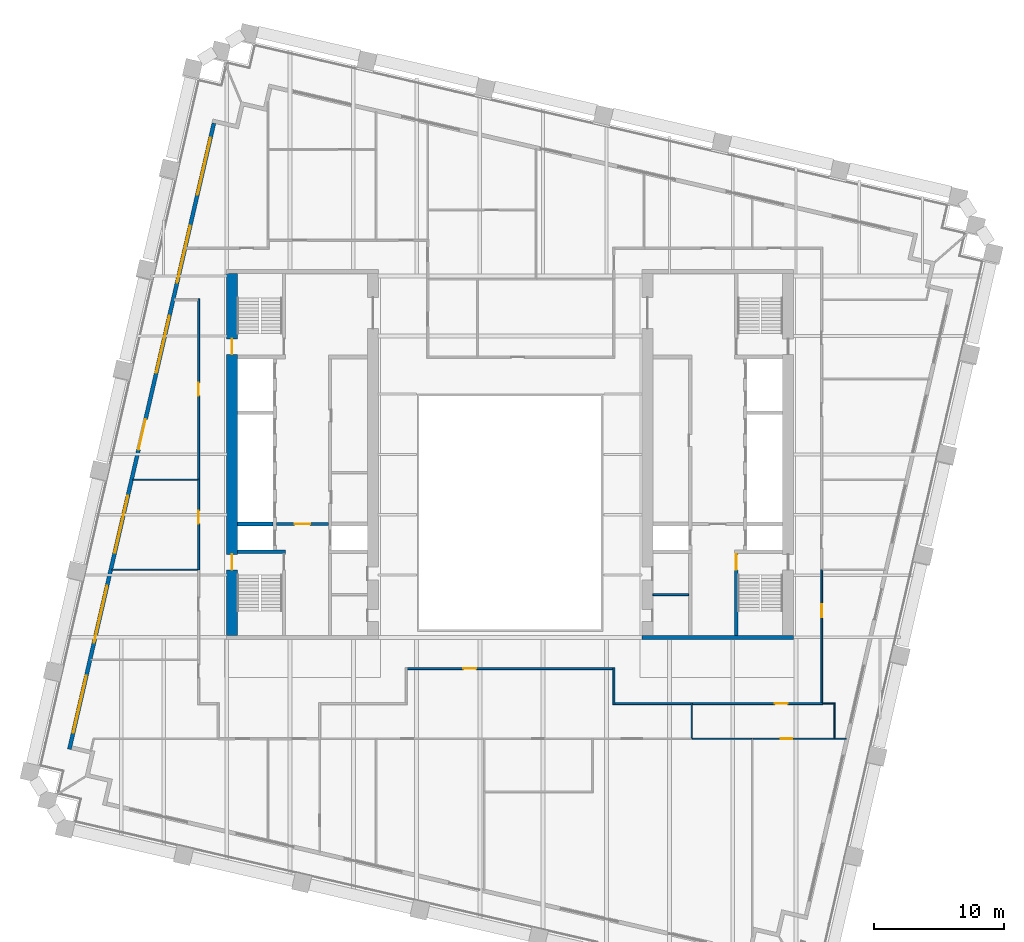
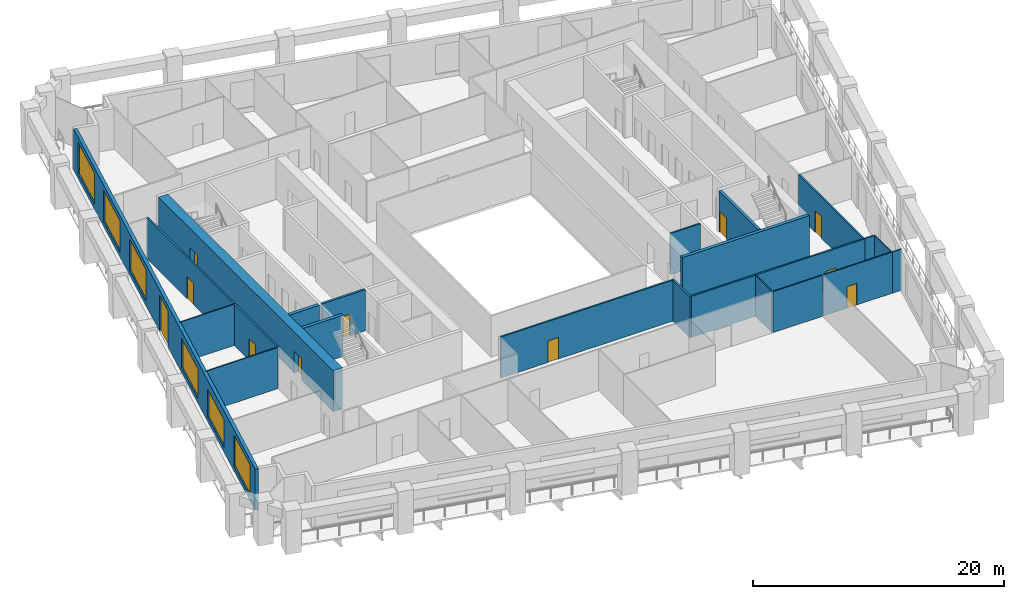
# One storey, part 5 of 11: 23 walls, 11 doors, 6 windows, 17 openings.
"""IFC4 building model written with IfcOpenShell, lengths in metres."""

from ifc_helpers import new_model, si_unit, direction, frame, frame_2d, origin, place, context, subcontext, project, spatial, rectangle, extrude, material, layer, layer_set, type_object, element, fill, save


model = new_model("IFC4")

# Units and contexts
model_context = context("Model", 3, precision=1e-05, world=origin(), true_north=direction((0.0, 1.0)))
body_context = subcontext(model_context, "Body", "Model", "MODEL_VIEW")
ifc_project = project(units=[si_unit("LENGTHUNIT", "METRE"), si_unit("AREAUNIT", "SQUARE_METRE"), si_unit("VOLUMEUNIT", "CUBIC_METRE"), si_unit("PLANEANGLEUNIT", "RADIAN"), si_unit("MASSUNIT", "GRAM", prefix="KILO")], contexts=[model_context])

# Site, building, storey
site_placement = place(None, origin())
site = spatial("IfcSite", under=ifc_project, at=site_placement, CompositionType="ELEMENT")
building_placement = place(site_placement, origin())
building = spatial("IfcBuilding", under=site, at=building_placement, Name="Ogive Exchange Tower", CompositionType="ELEMENT")
storey_placement = place(building_placement, frame((0.0, 0.0, 109.800048828125)))
storey = spatial("IfcBuildingStorey", under=building, at=storey_placement, Name="L23", CompositionType="ELEMENT", Elevation=109.800048828125)

# Wall
ifc_material_1 = material(Name="Gypsum board partition")
ifc_layer_1 = layer(ifc_material_1, 0.14990234375)
ifc_layer_set_1 = layer_set([ifc_layer_1], Name="Core room partition 150 gypsum")
wall_type_1 = type_object("IfcWallType", Name="Core room partition 150 gypsum", PredefinedType="PARTITIONING", material=ifc_layer_set_1)
wall_1_placement = place(storey_placement, frame((11.0, 0.699951171875, 0.0), z_axis=(0.0, 0.0, 1.0), x_axis=(1.0, 0.0, 0.0)))
element("IfcWall", 1, at=wall_1_placement, inside=storey, type_object=wall_type_1, Name="E south room partition", PredefinedType="PARTITIONING", context=body_context, shape_type="SweptSolid", body=[
    extrude(rectangle(XDim=2.75, YDim=0.14990234375, at=frame_2d((1.375, 0.0))), origin(), (0.0, 0.0, 1.0), 4.0),
])

# Wall, opening, door
ifc_material_2 = material(Name="Fire partition EI 60 150")
ifc_layer_2 = layer(ifc_material_2, 0.14990234375)
ifc_layer_set_2 = layer_set([ifc_layer_2], Name="Fire partition EI 60 150")
wall_type_2 = type_object("IfcWallType", Name="Fire partition EI 60 150", PredefinedType="PARTITIONING", material=ifc_layer_set_2)
wall_2_placement = place(storey_placement, frame((-24.0, 2.610107421875, 0.0), z_axis=(0.0, 0.0, 1.0), x_axis=(0.0, 1.0, 0.0)))
wall_2 = element("IfcWall", 2, at=wall_2_placement, inside=storey, type_object=wall_type_2, Name="L23-PWL-007", PredefinedType="PARTITIONING", context=body_context, shape_type="SweptSolid", body=[
    extrude(rectangle(XDim=6.989990234375, YDim=0.14990234375, at=frame_2d((3.4951171875, 0.0))), origin(), (0.0, 0.0, 1.0), 4.0),
])
opening_1_placement = place(wall_2_placement, frame((3.5400390625, 0.0, 0.0)))
opening_1 = element("IfcOpeningElement", 3, at=opening_1_placement, cuts=wall_2, Name="Opening L23-I19", PredefinedType="OPENING", context=body_context, shape_type="SweptSolid", body=[
    extrude(rectangle(XDim=1.0, YDim=2.10009765625, at=frame_2d((0.5, 1.050048828125))), frame((0.0, 0.0849609375, 0.0), z_axis=(0.0, -1.0, 0.0), x_axis=(1.0, 0.0, 0.0)), (0.0, 0.0, 1.0), 0.169921875),
])
ifc_material_3 = material(Name="Fire door FD 30S 1000 x 2100")
door_type_1 = type_object("IfcDoorType", Name="Fire door FD 30S 1000 x 2100", OperationType="NOTDEFINED", PredefinedType="DOOR", material=ifc_material_3)
door_1_placement = place(opening_1_placement, origin())
door_1 = element("IfcDoor", 4, at=door_1_placement, inside=storey, type_object=door_type_1, Name="L23-IDR-019", ObjectType="DT3", OperationType="SINGLE_SWING_LEFT", OverallHeight=2.10009765625, OverallWidth=1.0, PredefinedType="DOOR", context=body_context, shape_type="SweptSolid", body=[
    extrude(rectangle(XDim=1.0, YDim=2.10009765625, at=frame_2d((0.5, 1.050048828125))), frame((0.0, 0.02490234375, 0.0), z_axis=(0.0, -1.0, 0.0), x_axis=(1.0, 0.0, 0.0)), (0.0, 0.0, 1.0), 0.050048828125),
])
fill(opening_1, door_1)

wall_3_placement = place(storey_placement, frame((-24.0, 9.550048828125, 0.0), z_axis=(0.0, 0.0, 1.0), x_axis=(0.0, 1.0, 0.0)))
wall_3 = element("IfcWall", 5, at=wall_3_placement, inside=storey, type_object=wall_type_2, Name="L23-PWL-009", PredefinedType="PARTITIONING", context=body_context, shape_type="SweptSolid", body=[
    extrude(rectangle(XDim=13.93505859375, YDim=0.14990234375, at=frame_2d((6.967529296875, 0.0))), origin(), (0.0, 0.0, 1.0), 4.0),
])
opening_2_placement = place(wall_3_placement, frame((6.4599609375, 0.0, 0.0)))
opening_2 = element("IfcOpeningElement", 6, at=opening_2_placement, cuts=wall_3, Name="Opening L23-I10", PredefinedType="OPENING", context=body_context, shape_type="SweptSolid", body=[
    extrude(rectangle(XDim=1.0, YDim=2.10009765625, at=frame_2d((0.5, 1.050048828125))), frame((0.0, 0.0849609375, 0.0), z_axis=(0.0, -1.0, 0.0), x_axis=(1.0, 0.0, 0.0)), (0.0, 0.0, 1.0), 0.169921875),
])
door_2_placement = place(opening_2_placement, origin())
door_2 = element("IfcDoor", 7, at=door_2_placement, inside=storey, type_object=door_type_1, Name="L23-IDR-010", ObjectType="DT3", OperationType="SINGLE_SWING_LEFT", OverallHeight=2.10009765625, OverallWidth=1.0, PredefinedType="DOOR", context=body_context, shape_type="SweptSolid", body=[
    extrude(rectangle(XDim=1.0, YDim=2.10009765625, at=frame_2d((0.5, 1.050048828125))), frame((0.0, 0.02490234375, 0.0), z_axis=(0.0, -1.0, 0.0), x_axis=(1.0, 0.0, 0.0)), (0.0, 0.0, 1.0), 0.050048828125),
])
fill(opening_2, door_2)

# Wall
wall_4_placement = place(storey_placement, frame((8.0, -7.77490234375, 0.0), z_axis=(0.0, 0.0, 1.0), x_axis=(0.0, 1.0, 0.0)))
element("IfcWall", 8, at=wall_4_placement, inside=storey, type_object=wall_type_2, Name="L23-PWL-051", PredefinedType="PARTITIONING", context=body_context, shape_type="SweptSolid", body=[
    extrude(rectangle(XDim=2.849853515625, YDim=0.14990234375, at=frame_2d((1.4248046875, 0.0))), origin(), (0.0, 0.0, 1.0), 4.0),
])

# Wall, opening, door
wall_5_placement = place(storey_placement, frame((7.925048828125, -5.0, 0.0), z_axis=(0.0, 0.0, 1.0), x_axis=(-1.0, 0.0, 0.0)))
wall_5 = element("IfcWall", 9, at=wall_5_placement, inside=storey, type_object=wall_type_2, Name="L23-PWL-052", PredefinedType="PARTITIONING", context=body_context, shape_type="SweptSolid", body=[
    extrude(rectangle(XDim=15.85009765625, YDim=0.14990234375, at=frame_2d((7.925048828125, 0.0))), origin(), (0.0, 0.0, 1.0), 4.0),
])
opening_3_placement = place(wall_5_placement, frame((10.52490234375, 0.0, 0.0)))
opening_3 = element("IfcOpeningElement", 10, at=opening_3_placement, cuts=wall_5, Name="Opening L23-I18", PredefinedType="OPENING", context=body_context, shape_type="SweptSolid", body=[
    extrude(rectangle(XDim=1.0, YDim=2.10009765625, at=frame_2d((0.5, 1.050048828125))), frame((0.0, 0.0849609375, 0.0), z_axis=(0.0, -1.0, 0.0), x_axis=(1.0, 0.0, 0.0)), (0.0, 0.0, 1.0), 0.169921875),
])
door_3_placement = place(opening_3_placement, origin())
door_3 = element("IfcDoor", 11, at=door_3_placement, inside=storey, type_object=door_type_1, Name="L23-IDR-018", ObjectType="DT3", OperationType="SINGLE_SWING_LEFT", OverallHeight=2.10009765625, OverallWidth=1.0, PredefinedType="DOOR", context=body_context, shape_type="SweptSolid", body=[
    extrude(rectangle(XDim=1.0, YDim=2.10009765625, at=frame_2d((0.5, 1.050048828125))), frame((0.0, 0.02490234375, 0.0), z_axis=(0.0, -1.0, 0.0), x_axis=(1.0, 0.0, 0.0)), (0.0, 0.0, 1.0), 0.050048828125),
])
fill(opening_3, door_3)

# Wall
wall_6_placement = place(storey_placement, frame((13.949951171875, -7.699951171875, 0.0), z_axis=(0.0, 0.0, 1.0), x_axis=(-1.0, 0.0, 0.0)))
element("IfcWall", 12, at=wall_6_placement, inside=storey, type_object=wall_type_2, Name="L23-PWL-060", PredefinedType="PARTITIONING", context=body_context, shape_type="SweptSolid", body=[
    extrude(rectangle(XDim=5.875, YDim=0.14990234375, at=frame_2d((2.9375, 0.0))), origin(), (0.0, 0.0, 1.0), 4.0),
])

# Wall, opening, door
wall_7_placement = place(storey_placement, frame((24.074951171875, -7.699951171875, 0.0), z_axis=(0.0, 0.0, 1.0), x_axis=(-1.0, 0.0, 0.0)))
wall_7 = element("IfcWall", 13, at=wall_7_placement, inside=storey, type_object=wall_type_2, Name="L23-PWL-065", PredefinedType="PARTITIONING", context=body_context, shape_type="SweptSolid", body=[
    extrude(rectangle(XDim=10.02490234375, YDim=0.14990234375, at=frame_2d((5.012451171875, 0.0))), origin(), (0.0, 0.0, 1.0), 4.0),
])
opening_4_placement = place(wall_7_placement, frame((2.675048828125, 0.0, 0.0)))
opening_4 = element("IfcOpeningElement", 14, at=opening_4_placement, cuts=wall_7, Name="Opening L23-I17", PredefinedType="OPENING", context=body_context, shape_type="SweptSolid", body=[
    extrude(rectangle(XDim=1.0, YDim=2.10009765625, at=frame_2d((0.5, 1.050048828125))), frame((0.0, 0.0849609375, 0.0), z_axis=(0.0, -1.0, 0.0), x_axis=(1.0, 0.0, 0.0)), (0.0, 0.0, 1.0), 0.169921875),
])
door_4_placement = place(opening_4_placement, origin())
door_4 = element("IfcDoor", 15, at=door_4_placement, inside=storey, type_object=door_type_1, Name="L23-IDR-017", ObjectType="DT3", OperationType="SINGLE_SWING_RIGHT", OverallHeight=2.10009765625, OverallWidth=1.0, PredefinedType="DOOR", context=body_context, shape_type="SweptSolid", body=[
    extrude(rectangle(XDim=1.0, YDim=2.10009765625, at=frame_2d((0.5, 1.050048828125))), frame((0.0, 0.02490234375, 0.0), z_axis=(0.0, -1.0, 0.0), x_axis=(1.0, 0.0, 0.0)), (0.0, 0.0, 1.0), 0.050048828125),
])
fill(opening_4, door_4)

wall_8_placement = place(storey_placement, frame((24.010009765625, 2.659912109375, 0.0), z_axis=(0.0, 0.0, 1.0), x_axis=(0.0, -1.0, 0.0)))
wall_8 = element("IfcWall", 16, at=wall_8_placement, inside=storey, type_object=wall_type_2, Name="L23-PWL-072", PredefinedType="PARTITIONING", context=body_context, shape_type="SweptSolid", body=[
    extrude(rectangle(XDim=10.27490234375, YDim=0.14990234375, at=frame_2d((5.137451171875, 0.0))), origin(), (0.0, 0.0, 1.0), 4.0),
])
opening_5_placement = place(wall_8_placement, frame((2.699951171875, 0.0, 0.0)))
opening_5 = element("IfcOpeningElement", 17, at=opening_5_placement, cuts=wall_8, Name="Opening L23-I16", PredefinedType="OPENING", context=body_context, shape_type="SweptSolid", body=[
    extrude(rectangle(XDim=1.0, YDim=2.10009765625, at=frame_2d((0.5, 1.050048828125))), frame((0.0, 0.0849609375, 0.0), z_axis=(0.0, -1.0, 0.0), x_axis=(1.0, 0.0, 0.0)), (0.0, 0.0, 1.0), 0.169921875),
])
door_5_placement = place(opening_5_placement, origin())
door_5 = element("IfcDoor", 18, at=door_5_placement, inside=storey, type_object=door_type_1, Name="L23-IDR-016", ObjectType="DT3", OperationType="SINGLE_SWING_RIGHT", OverallHeight=2.10009765625, OverallWidth=1.0, PredefinedType="DOOR", context=body_context, shape_type="SweptSolid", body=[
    extrude(rectangle(XDim=1.0, YDim=2.10009765625, at=frame_2d((0.5, 1.050048828125))), frame((0.0, 0.02490234375, 0.0), z_axis=(0.0, -1.0, 0.0), x_axis=(1.0, 0.0, 0.0)), (0.0, 0.0, 1.0), 0.050048828125),
])
fill(opening_5, door_5)

# Wall, openings, door, windows
ifc_material_4 = material(Name="Precast concrete C40/50", Category="concrete")
ifc_layer_3 = layer(ifc_material_4, 0.300048828125)
ifc_layer_set_3 = layer_set([ifc_layer_3], Name="Limestone-faced wall 300")
wall_type_3 = type_object("IfcWallType", Name="Limestone-faced wall 300", PredefinedType="STANDARD", material=ifc_layer_set_3)
wall_9_placement = place(storey_placement, frame((-22.8203125, 37.015625, 0.0), z_axis=(0.0, 0.0, 1.0), x_axis=(-0.224953880882, -0.974369412223, 0.0)))
wall_9 = element("IfcWall", 19, at=wall_9_placement, inside=storey, type_object=wall_type_3, Name="External wall W4", PredefinedType="STANDARD", context=body_context, shape_type="SweptSolid", body=[
    extrude(rectangle(XDim=49.500244140625, YDim=0.300048828125, at=frame_2d((24.75, 0.0))), origin(), (0.0, 0.0, 1.0), 4.0),
])
opening_6_placement = place(wall_9_placement, frame((1.156982421875, 0.0, 0.449951171875)))
opening_6 = element("IfcOpeningElement", 20, at=opening_6_placement, cuts=wall_9, Name="Opening W1", PredefinedType="OPENING", context=body_context, shape_type="SweptSolid", body=[
    extrude(rectangle(XDim=4.5, YDim=3.050048828125, at=frame_2d((2.25, 1.52490234375))), frame((0.0, 0.159912109375, 0.0), z_axis=(0.0, -1.0, 0.0), x_axis=(1.0, 0.0, 0.0)), (0.0, 0.0, 1.0), 0.320068359375),
])
opening_7_placement = place(wall_9_placement, frame((8.121337890625, 0.0, 0.449951171875)))
opening_7 = element("IfcOpeningElement", 21, at=opening_7_placement, cuts=wall_9, Name="Opening W1", PredefinedType="OPENING", context=body_context, shape_type="SweptSolid", body=[
    extrude(rectangle(XDim=4.5, YDim=3.050048828125, at=frame_2d((2.25, 1.52490234375))), frame((0.0, 0.159912109375, 0.0), z_axis=(0.0, -1.0, 0.0), x_axis=(1.0, 0.0, 0.0)), (0.0, 0.0, 1.0), 0.320068359375),
])
opening_8_placement = place(wall_9_placement, frame((15.235595703125, 0.0, 0.449951171875)))
opening_8 = element("IfcOpeningElement", 22, at=opening_8_placement, cuts=wall_9, Name="Opening W1", PredefinedType="OPENING", context=body_context, shape_type="SweptSolid", body=[
    extrude(rectangle(XDim=4.5, YDim=3.050048828125, at=frame_2d((2.25, 1.52490234375))), frame((0.0, 0.159912109375, 0.0), z_axis=(0.0, -1.0, 0.0), x_axis=(1.0, 0.0, 0.0)), (0.0, 0.0, 1.0), 0.320068359375),
])
opening_9_placement = place(wall_9_placement, frame((23.39990234375, 0.0, 0.0)))
opening_9 = element("IfcOpeningElement", 23, at=opening_9_placement, cuts=wall_9, Name="Opening D1", PredefinedType="OPENING", context=body_context, shape_type="SweptSolid", body=[
    extrude(rectangle(XDim=2.39990234375, YDim=3.5, at=frame_2d((1.199951171875, 1.75))), frame((0.0, 0.159912109375, 0.0), z_axis=(0.0, -1.0, 0.0), x_axis=(1.0, 0.0, 0.0)), (0.0, 0.0, 1.0), 0.320068359375),
])
opening_10_placement = place(wall_9_placement, frame((29.464111328125, 0.0, 0.449951171875)))
opening_10 = element("IfcOpeningElement", 24, at=opening_10_placement, cuts=wall_9, Name="Opening W1D", PredefinedType="OPENING", context=body_context, shape_type="SweptSolid", body=[
    extrude(rectangle(XDim=4.5, YDim=2.875, at=frame_2d((2.25, 1.4375))), frame((0.0, 0.159912109375, 0.0), z_axis=(0.0, -1.0, 0.0), x_axis=(1.0, 0.0, 0.0)), (0.0, 0.0, 1.0), 0.320068359375),
])
opening_11_placement = place(wall_9_placement, frame((36.57861328125, 0.0, 0.449951171875)))
opening_11 = element("IfcOpeningElement", 25, at=opening_11_placement, cuts=wall_9, Name="Opening W1J", PredefinedType="OPENING", context=body_context, shape_type="SweptSolid", body=[
    extrude(rectangle(XDim=4.5, YDim=2.675048828125, at=frame_2d((2.25, 1.33740234375))), frame((0.0, 0.159912109375, 0.0), z_axis=(0.0, -1.0, 0.0), x_axis=(1.0, 0.0, 0.0)), (0.0, 0.0, 1.0), 0.320068359375),
])
opening_12_placement = place(wall_9_placement, frame((43.69287109375, 0.0, 0.449951171875)))
opening_12 = element("IfcOpeningElement", 26, at=opening_12_placement, cuts=wall_9, Name="Opening W1", PredefinedType="OPENING", context=body_context, shape_type="SweptSolid", body=[
    extrude(rectangle(XDim=4.5, YDim=3.050048828125, at=frame_2d((2.25, 1.52490234375))), frame((0.0, 0.159912109375, 0.0), z_axis=(0.0, -1.0, 0.0), x_axis=(1.0, 0.0, 0.0)), (0.0, 0.0, 1.0), 0.320068359375),
])
ifc_material_5 = material(Name="Clear glass in bronze frame", Category="glass")
door_type_2 = type_object("IfcDoorType", Name="Sliding loggia door 2400 x 3500", OperationType="DOUBLE_DOOR_SLIDING", PredefinedType="DOOR", material=ifc_material_5)
door_6_placement = place(opening_9_placement, origin())
door_6 = element("IfcDoor", 27, at=door_6_placement, inside=storey, type_object=door_type_2, Name="Loggia door W03", OperationType="DOUBLE_DOOR_SLIDING", OverallHeight=3.5, OverallWidth=2.39990234375, PredefinedType="DOOR", context=body_context, shape_type="SweptSolid", body=[
    extrude(rectangle(XDim=2.39990234375, YDim=3.5, at=frame_2d((1.199951171875, 1.75))), frame((0.0, 0.02490234375, 0.0), z_axis=(0.0, -1.0, 0.0), x_axis=(1.0, 0.0, 0.0)), (0.0, 0.0, 1.0), 0.050048828125),
])
fill(opening_9, door_6)
window_type_1 = type_object("IfcWindowType", Name="Twin lancet window 4500 x 2675", PartitioningType="DOUBLE_PANEL_VERTICAL", PredefinedType="WINDOW", material=ifc_material_5)
window_1_placement = place(opening_11_placement, origin())
window_1 = element("IfcWindow", 28, at=window_1_placement, inside=storey, type_object=window_type_1, Name="Window W05", OverallHeight=2.675048828125, OverallWidth=4.5, PartitioningType="DOUBLE_PANEL_VERTICAL", PredefinedType="WINDOW", context=body_context, shape_type="SweptSolid", body=[
    extrude(rectangle(XDim=4.5, YDim=2.675048828125, at=frame_2d((2.25, 1.33740234375))), frame((0.0, 0.030029296875, 0.0), z_axis=(0.0, -1.0, 0.0), x_axis=(1.0, 0.0, 0.0)), (0.0, 0.0, 1.0), 0.06005859375),
])
fill(opening_11, window_1)
window_type_2 = type_object("IfcWindowType", Name="Twin lancet window 4500 x 2875", PartitioningType="DOUBLE_PANEL_VERTICAL", PredefinedType="WINDOW", material=ifc_material_5)
window_2_placement = place(opening_10_placement, origin())
window_2 = element("IfcWindow", 29, at=window_2_placement, inside=storey, type_object=window_type_2, Name="Window W04", OverallHeight=2.875, OverallWidth=4.5, PartitioningType="DOUBLE_PANEL_VERTICAL", PredefinedType="WINDOW", context=body_context, shape_type="SweptSolid", body=[
    extrude(rectangle(XDim=4.5, YDim=2.875, at=frame_2d((2.25, 1.4375))), frame((0.0, 0.030029296875, 0.0), z_axis=(0.0, -1.0, 0.0), x_axis=(1.0, 0.0, 0.0)), (0.0, 0.0, 1.0), 0.06005859375),
])
fill(opening_10, window_2)
window_type_3 = type_object("IfcWindowType", Name="Twin lancet window 4500 x 3050", PartitioningType="DOUBLE_PANEL_VERTICAL", PredefinedType="WINDOW", material=ifc_material_5)
window_3_placement = place(opening_6_placement, origin())
window_3 = element("IfcWindow", 30, at=window_3_placement, inside=storey, type_object=window_type_3, Name="Window W00", OverallHeight=3.050048828125, OverallWidth=4.5, PartitioningType="DOUBLE_PANEL_VERTICAL", PredefinedType="WINDOW", context=body_context, shape_type="SweptSolid", body=[
    extrude(rectangle(XDim=4.5, YDim=3.050048828125, at=frame_2d((2.25, 1.52490234375))), frame((0.0, 0.030029296875, 0.0), z_axis=(0.0, -1.0, 0.0), x_axis=(1.0, 0.0, 0.0)), (0.0, 0.0, 1.0), 0.06005859375),
])
fill(opening_6, window_3)
window_4_placement = place(opening_7_placement, origin())
window_4 = element("IfcWindow", 31, at=window_4_placement, inside=storey, type_object=window_type_3, Name="Window W01", OverallHeight=3.050048828125, OverallWidth=4.5, PartitioningType="DOUBLE_PANEL_VERTICAL", PredefinedType="WINDOW", context=body_context, shape_type="SweptSolid", body=[
    extrude(rectangle(XDim=4.5, YDim=3.050048828125, at=frame_2d((2.25, 1.52490234375))), frame((0.0, 0.030029296875, 0.0), z_axis=(0.0, -1.0, 0.0), x_axis=(1.0, 0.0, 0.0)), (0.0, 0.0, 1.0), 0.06005859375),
])
fill(opening_7, window_4)
window_5_placement = place(opening_8_placement, origin())
window_5 = element("IfcWindow", 32, at=window_5_placement, inside=storey, type_object=window_type_3, Name="Window W02", OverallHeight=3.050048828125, OverallWidth=4.5, PartitioningType="DOUBLE_PANEL_VERTICAL", PredefinedType="WINDOW", context=body_context, shape_type="SweptSolid", body=[
    extrude(rectangle(XDim=4.5, YDim=3.050048828125, at=frame_2d((2.25, 1.52490234375))), frame((0.0, 0.030029296875, 0.0), z_axis=(0.0, -1.0, 0.0), x_axis=(1.0, 0.0, 0.0)), (0.0, 0.0, 1.0), 0.06005859375),
])
fill(opening_8, window_5)
window_6_placement = place(opening_12_placement, origin())
window_6 = element("IfcWindow", 33, at=window_6_placement, inside=storey, type_object=window_type_3, Name="Window W06", OverallHeight=3.050048828125, OverallWidth=4.5, PartitioningType="DOUBLE_PANEL_VERTICAL", PredefinedType="WINDOW", context=body_context, shape_type="SweptSolid", body=[
    extrude(rectangle(XDim=4.5, YDim=3.050048828125, at=frame_2d((2.25, 1.52490234375))), frame((0.0, 0.030029296875, 0.0), z_axis=(0.0, -1.0, 0.0), x_axis=(1.0, 0.0, 0.0)), (0.0, 0.0, 1.0), 0.06005859375),
])
fill(opening_12, window_6)

# Walls
ifc_material_6 = material(Name="Partition 100 gypsum")
ifc_layer_4 = layer(ifc_material_6, 0.10009765625)
ifc_layer_set_4 = layer_set([ifc_layer_4], Name="Partition 100 gypsum")
wall_type_4 = type_object("IfcWallType", Name="Partition 100 gypsum", PredefinedType="PARTITIONING", material=ifc_layer_set_4)
wall_10_placement = place(storey_placement, frame((-24.074951171875, 2.610107421875, 0.0), z_axis=(0.0, 0.0, 1.0), x_axis=(-1.0, 0.0, 0.0)))
element("IfcWall", 34, at=wall_10_placement, inside=storey, type_object=wall_type_4, Name="L23-PWL-006", PredefinedType="PARTITIONING", context=body_context, shape_type="SweptSolid", body=[
    extrude(rectangle(XDim=6.616943359375, YDim=0.10009765625, at=frame_2d((3.30859375, 0.0))), origin(), (0.0, 0.0, 1.0), 4.0),
])
wall_11_placement = place(storey_placement, frame((-24.074951171875, 9.550048828125, 0.0), z_axis=(0.0, 0.0, 1.0), x_axis=(-1.0, 0.0, 0.0)))
element("IfcWall", 35, at=wall_11_placement, inside=storey, type_object=wall_type_4, Name="L23-PWL-008", PredefinedType="PARTITIONING", context=body_context, shape_type="SweptSolid", body=[
    extrude(rectangle(XDim=5.01513671875, YDim=0.10009765625, at=frame_2d((2.507568359375, 0.0))), origin(), (0.0, 0.0, 1.0), 4.0),
])
wall_12_placement = place(storey_placement, frame((14.0, -10.360107421875, 0.0), z_axis=(0.0, 0.0, 1.0), x_axis=(0.0, 1.0, 0.0)))
element("IfcWall", 36, at=wall_12_placement, inside=storey, type_object=wall_type_4, Name="L23-PWL-059", PredefinedType="PARTITIONING", context=body_context, shape_type="SweptSolid", body=[
    extrude(rectangle(XDim=2.735107421875, YDim=0.10009765625, at=frame_2d((1.36767578125, 0.0))), origin(), (0.0, 0.0, 1.0), 4.0),
])
wall_13_placement = place(storey_placement, frame((18.60009765625, -10.409912109375, 0.0), z_axis=(0.0, 0.0, 1.0), x_axis=(-1.0, 0.0, 0.0)))
element("IfcWall", 37, at=wall_13_placement, inside=storey, type_object=wall_type_4, Name="L23-PWL-062", PredefinedType="PARTITIONING", context=body_context, shape_type="SweptSolid", body=[
    extrude(rectangle(XDim=4.550048828125, YDim=0.10009765625, at=frame_2d((2.27490234375, 0.0))), origin(), (0.0, 0.0, 1.0), 4.0),
])

# Wall, opening, door
wall_14_placement = place(storey_placement, frame((25.050048828125, -10.409912109375, 0.0), z_axis=(0.0, 0.0, 1.0), x_axis=(-1.0, 0.0, 0.0)))
wall_14 = element("IfcWall", 38, at=wall_14_placement, inside=storey, type_object=wall_type_4, Name="L23-PWL-073", PredefinedType="PARTITIONING", context=body_context, shape_type="SweptSolid", body=[
    extrude(rectangle(XDim=6.35009765625, YDim=0.10009765625, at=frame_2d((3.175048828125, 0.0))), origin(), (0.0, 0.0, 1.0), 4.0),
])
opening_13_placement = place(wall_14_placement, frame((3.300048828125, 0.0, 0.0)))
opening_13 = element("IfcOpeningElement", 39, at=opening_13_placement, cuts=wall_14, Name="Opening L23-I22", PredefinedType="OPENING", context=body_context, shape_type="SweptSolid", body=[
    extrude(rectangle(XDim=0.89990234375, YDim=2.10009765625, at=frame_2d((0.449951171875, 1.050048828125))), frame((0.0, 0.06005859375, 0.0), z_axis=(0.0, -1.0, 0.0), x_axis=(1.0, 0.0, 0.0)), (0.0, 0.0, 1.0), 0.1201171875),
])
ifc_material_7 = material(Name="Door 900 x 2100")
door_type_3 = type_object("IfcDoorType", Name="Door 900 x 2100", OperationType="NOTDEFINED", PredefinedType="DOOR", material=ifc_material_7)
door_7_placement = place(opening_13_placement, frame((0.89990234375, 0.0, 0.0), z_axis=(0.0, 0.0, 1.0), x_axis=(-1.0, 0.0, 0.0)))
door_7 = element("IfcDoor", 40, at=door_7_placement, inside=storey, type_object=door_type_3, Name="L23-IDR-022", ObjectType="DT1", OperationType="SINGLE_SWING_LEFT", OverallHeight=2.10009765625, OverallWidth=0.89990234375, PredefinedType="DOOR", context=body_context, shape_type="SweptSolid", body=[
    extrude(rectangle(XDim=0.89990234375, YDim=2.10009765625, at=frame_2d((0.449951171875, 1.050048828125))), frame((0.0, 0.02490234375, 0.0), z_axis=(0.0, -1.0, 0.0), x_axis=(1.0, 0.0, 0.0)), (0.0, 0.0, 1.0), 0.050048828125),
])
fill(opening_13, door_7)

# Walls
wall_15_placement = place(storey_placement, frame((25.0, -10.360107421875, 0.0), z_axis=(0.0, 0.0, 1.0), x_axis=(0.0, 1.0, 0.0)))
element("IfcWall", 41, at=wall_15_placement, inside=storey, type_object=wall_type_4, Name="L23-PWL-074", PredefinedType="PARTITIONING", context=body_context, shape_type="SweptSolid", body=[
    extrude(rectangle(XDim=2.72021484375, YDim=0.10009765625, at=frame_2d((1.360107421875, 0.0))), origin(), (0.0, 0.0, 1.0), 4.0),
])
wall_16_placement = place(storey_placement, frame((24.949951171875, -7.68994140625, 0.0), z_axis=(0.0, 0.0, 1.0), x_axis=(-1.0, 0.0, 0.0)))
element("IfcWall", 42, at=wall_16_placement, inside=storey, type_object=wall_type_4, Name="L23-PWL-075", PredefinedType="PARTITIONING", context=body_context, shape_type="SweptSolid", body=[
    extrude(rectangle(XDim=0.875, YDim=0.10009765625, at=frame_2d((0.4375, 0.0))), origin(), (0.0, 0.0, 1.0), 4.0),
])
wall_17_placement = place(storey_placement, frame((25.889892578125, -10.409912109375, 0.0), z_axis=(0.0, 0.0, 1.0), x_axis=(-1.0, 0.0, 0.0)))
element("IfcWall", 43, at=wall_17_placement, inside=storey, type_object=wall_type_4, Name="L23-PWL-076", PredefinedType="PARTITIONING", context=body_context, shape_type="SweptSolid", body=[
    extrude(rectangle(XDim=0.83984375, YDim=0.10009765625, at=frame_2d((0.419921875, 0.0))), origin(), (0.0, 0.0, 1.0), 4.0),
])

# Wall, opening, door
ifc_material_8 = material(Name="Concrete C70/85", Category="concrete")
ifc_layer_5 = layer(ifc_material_8, 0.199951171875)
ifc_layer_set_5 = layer_set([ifc_layer_5], Name="RC core wall 200 C70/85")
wall_type_5 = type_object("IfcWallType", Name="RC core wall 200 C70/85", PredefinedType="SHEAR", material=ifc_layer_set_5)
wall_18_placement = place(storey_placement, frame((-18.0, 6.142822265625, 0.0), z_axis=(0.0, 0.0, 1.0), x_axis=(1.0, 0.0, 0.0)))
wall_18 = element("IfcWall", 44, at=wall_18_placement, inside=storey, type_object=wall_type_5, Name="W firefighting lobby wall", PredefinedType="SHEAR", context=body_context, shape_type="SweptSolid", body=[
    extrude(rectangle(XDim=4.0, YDim=0.199951171875, at=frame_2d((2.0, 0.0))), origin(), (0.0, 0.0, 1.0), 4.0),
])
opening_14_placement = place(wall_18_placement, frame((1.39990234375, 0.0, 0.0)))
opening_14 = element("IfcOpeningElement", 45, at=opening_14_placement, cuts=wall_18, Name="Opening L23-C11", PredefinedType="OPENING", context=body_context, shape_type="SweptSolid", body=[
    extrude(rectangle(XDim=1.199951171875, YDim=2.10009765625, at=frame_2d((0.60009765625, 1.050048828125))), frame((0.0, 0.10986328125, 0.0), z_axis=(0.0, -1.0, 0.0), x_axis=(1.0, 0.0, 0.0)), (0.0, 0.0, 1.0), 0.219970703125),
])
ifc_material_9 = material(Name="Steel fire door", Category="steel")
door_type_4 = type_object("IfcDoorType", Name="Firefighting lobby door FD60 1200 x 2100", OperationType="NOTDEFINED", PredefinedType="DOOR", material=ifc_material_9)
door_8_placement = place(opening_14_placement, frame((1.199951171875, 0.0, 0.0), z_axis=(0.0, 0.0, 1.0), x_axis=(-1.0, 0.0, 0.0)))
door_8 = element("IfcDoor", 46, at=door_8_placement, inside=storey, type_object=door_type_4, Name="Firefighting lobby door", ObjectType="CD3", OperationType="SINGLE_SWING_RIGHT", OverallHeight=2.10009765625, OverallWidth=1.199951171875, PredefinedType="DOOR", context=body_context, shape_type="SweptSolid", body=[
    extrude(rectangle(XDim=1.199951171875, YDim=2.10009765625, at=frame_2d((0.60009765625, 1.050048828125))), frame((0.0, 0.02490234375, 0.0), z_axis=(0.0, -1.0, 0.0), x_axis=(1.0, 0.0, 0.0)), (0.0, 0.0, 1.0), 0.050048828125),
])
fill(opening_14, door_8)

ifc_layer_6 = layer(ifc_material_8, 0.25)
ifc_layer_set_6 = layer_set([ifc_layer_6], Name="RC core wall 250 C70/85")
wall_type_6 = type_object("IfcWallType", Name="RC core wall 250 C70/85", PredefinedType="SHEAR", material=ifc_layer_set_6)
wall_19_placement = place(storey_placement, frame((17.425048828125, -2.449951171875, 0.0), z_axis=(0.0, 0.0, 1.0), x_axis=(0.0, 1.0, 0.0)))
wall_19 = element("IfcWall", 47, at=wall_19_placement, inside=storey, type_object=wall_type_6, Name="E stair S front wall", PredefinedType="SHEAR", context=body_context, shape_type="SweptSolid", body=[
    extrude(rectangle(XDim=6.300048828125, YDim=0.25, at=frame_2d((3.14990234375, 0.0))), origin(), (0.0, 0.0, 1.0), 4.0),
])
opening_15_placement = place(wall_19_placement, frame((5.050048828125, 0.0, 0.0)))
opening_15 = element("IfcOpeningElement", 48, at=opening_15_placement, cuts=wall_19, Name="Opening L23-C30", PredefinedType="OPENING", context=body_context, shape_type="SweptSolid", body=[
    extrude(rectangle(XDim=1.199951171875, YDim=2.10009765625, at=frame_2d((0.60009765625, 1.050048828125))), frame((0.0, 0.135009765625, 0.0), z_axis=(0.0, -1.0, 0.0), x_axis=(1.0, 0.0, 0.0)), (0.0, 0.0, 1.0), 0.27001953125),
])
door_type_5 = type_object("IfcDoorType", Name="Stair door FD90 1200 x 2100", OperationType="NOTDEFINED", PredefinedType="DOOR", material=ifc_material_9)
door_9_placement = place(opening_15_placement, frame((1.199951171875, 0.0, 0.0), z_axis=(0.0, 0.0, 1.0), x_axis=(-1.0, 0.0, 0.0)))
door_9 = element("IfcDoor", 49, at=door_9_placement, inside=storey, type_object=door_type_5, Name="Stair door", ObjectType="CD5", OperationType="SINGLE_SWING_RIGHT", OverallHeight=2.10009765625, OverallWidth=1.199951171875, PredefinedType="DOOR", context=body_context, shape_type="SweptSolid", body=[
    extrude(rectangle(XDim=1.199951171875, YDim=2.10009765625, at=frame_2d((0.60009765625, 1.050048828125))), frame((0.0, 0.02490234375, 0.0), z_axis=(0.0, -1.0, 0.0), x_axis=(1.0, 0.0, 0.0)), (0.0, 0.0, 1.0), 0.050048828125),
])
fill(opening_15, door_9)

# Walls
ifc_layer_7 = layer(ifc_material_8, 0.300048828125)
ifc_layer_set_7 = layer_set([ifc_layer_7], Name="RC core wall 300 C70/85")
wall_type_7 = type_object("IfcWallType", Name="RC core wall 300 C70/85", PredefinedType="SHEAR", material=ifc_layer_set_7)
wall_20_placement = place(storey_placement, frame((-21.0, 4.0, 0.0), z_axis=(0.0, 0.0, 1.0), x_axis=(1.0, 0.0, 0.0)))
element("IfcWall", 50, at=wall_20_placement, inside=storey, type_object=wall_type_7, Name="W stair S north wall", PredefinedType="SHEAR", context=body_context, shape_type="SweptSolid", body=[
    extrude(rectangle(XDim=3.699951171875, YDim=0.300048828125, at=frame_2d((1.85009765625, 0.0))), origin(), (0.0, 0.0, 1.0), 4.0),
])
wall_21_placement = place(storey_placement, frame((-21.0, 6.142822265625, 0.0), z_axis=(0.0, 0.0, 1.0), x_axis=(1.0, 0.0, 0.0)))
element("IfcWall", 51, at=wall_21_placement, inside=storey, type_object=wall_type_7, Name="W row A divider 1", PredefinedType="SHEAR", context=body_context, shape_type="SweptSolid", body=[
    extrude(rectangle(XDim=2.75, YDim=0.300048828125, at=frame_2d((1.375, 0.0))), origin(), (0.0, 0.0, 1.0), 4.0),
])
wall_22_placement = place(storey_placement, frame((10.14990234375, -2.60009765625, 0.0), z_axis=(0.0, 0.0, 1.0), x_axis=(1.0, 0.0, 0.0)))
element("IfcWall", 52, at=wall_22_placement, inside=storey, type_object=wall_type_7, Name="E south end wall", PredefinedType="SHEAR", context=body_context, shape_type="SweptSolid", body=[
    extrude(rectangle(XDim=11.7001953125, YDim=0.300048828125, at=frame_2d((5.85009765625, 0.0))), origin(), (0.0, 0.0, 1.0), 4.0),
])

# Wall, openings, doors
ifc_layer_8 = layer(ifc_material_8, 0.85009765625)
ifc_layer_set_8 = layer_set([ifc_layer_8], Name="RC core wall 850 C70/85")
wall_type_8 = type_object("IfcWallType", Name="RC core wall 850 C70/85", PredefinedType="SHEAR", material=ifc_layer_set_8)
wall_23_placement = place(storey_placement, frame((-21.425048828125, -2.449951171875, 0.0), z_axis=(0.0, 0.0, 1.0), x_axis=(0.0, 1.0, 0.0)))
wall_23 = element("IfcWall", 53, at=wall_23_placement, inside=storey, type_object=wall_type_8, Name="W outer wall", PredefinedType="SHEAR", context=body_context, shape_type="SweptSolid", body=[
    extrude(rectangle(XDim=27.89990234375, YDim=0.85009765625, at=frame_2d((13.949951171875, 0.0))), origin(), (0.0, 0.0, 1.0), 4.0),
])
opening_16_placement = place(wall_23_placement, frame((5.050048828125, 0.0, 0.0)))
opening_16 = element("IfcOpeningElement", 54, at=opening_16_placement, cuts=wall_23, Name="Opening L23-C14", PredefinedType="OPENING", context=body_context, shape_type="SweptSolid", body=[
    extrude(rectangle(XDim=1.199951171875, YDim=2.10009765625, at=frame_2d((0.60009765625, 1.050048828125))), frame((0.0, 0.43505859375, 0.0), z_axis=(0.0, -1.0, 0.0), x_axis=(1.0, 0.0, 0.0)), (0.0, 0.0, 1.0), 0.8701171875),
])
opening_17_placement = place(wall_23_placement, frame((21.64990234375, 0.0, 0.0)))
opening_17 = element("IfcOpeningElement", 55, at=opening_17_placement, cuts=wall_23, Name="Opening L23-C16", PredefinedType="OPENING", context=body_context, shape_type="SweptSolid", body=[
    extrude(rectangle(XDim=1.199951171875, YDim=2.10009765625, at=frame_2d((0.60009765625, 1.050048828125))), frame((0.0, 0.43505859375, 0.0), z_axis=(0.0, -1.0, 0.0), x_axis=(1.0, 0.0, 0.0)), (0.0, 0.0, 1.0), 0.8701171875),
])
door_10_placement = place(opening_16_placement, frame((1.199951171875, 0.0, 0.0), z_axis=(0.0, 0.0, 1.0), x_axis=(-1.0, 0.0, 0.0)))
door_10 = element("IfcDoor", 56, at=door_10_placement, inside=storey, type_object=door_type_5, Name="Stair door", ObjectType="CD5", OperationType="SINGLE_SWING_RIGHT", OverallHeight=2.10009765625, OverallWidth=1.199951171875, PredefinedType="DOOR", context=body_context, shape_type="SweptSolid", body=[
    extrude(rectangle(XDim=1.199951171875, YDim=2.10009765625, at=frame_2d((0.60009765625, 1.050048828125))), frame((0.0, 0.02490234375, 0.0), z_axis=(0.0, -1.0, 0.0), x_axis=(1.0, 0.0, 0.0)), (0.0, 0.0, 1.0), 0.050048828125),
])
fill(opening_16, door_10)
door_11_placement = place(opening_17_placement, frame((1.199951171875, 0.0, 0.0), z_axis=(0.0, 0.0, 1.0), x_axis=(-1.0, 0.0, 0.0)))
door_11 = element("IfcDoor", 57, at=door_11_placement, inside=storey, type_object=door_type_5, Name="Stair door", ObjectType="CD5", OperationType="SINGLE_SWING_LEFT", OverallHeight=2.10009765625, OverallWidth=1.199951171875, PredefinedType="DOOR", context=body_context, shape_type="SweptSolid", body=[
    extrude(rectangle(XDim=1.199951171875, YDim=2.10009765625, at=frame_2d((0.60009765625, 1.050048828125))), frame((0.0, 0.02490234375, 0.0), z_axis=(0.0, -1.0, 0.0), x_axis=(1.0, 0.0, 0.0)), (0.0, 0.0, 1.0), 0.050048828125),
])
fill(opening_17, door_11)

save(model, "model.ifc")
